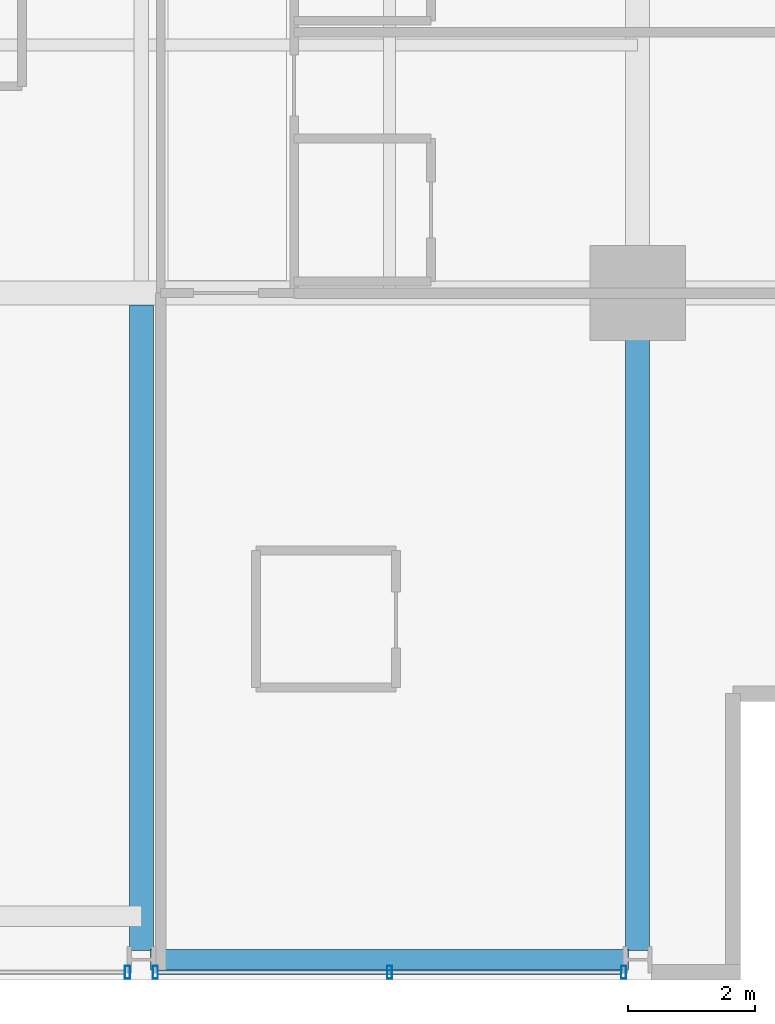
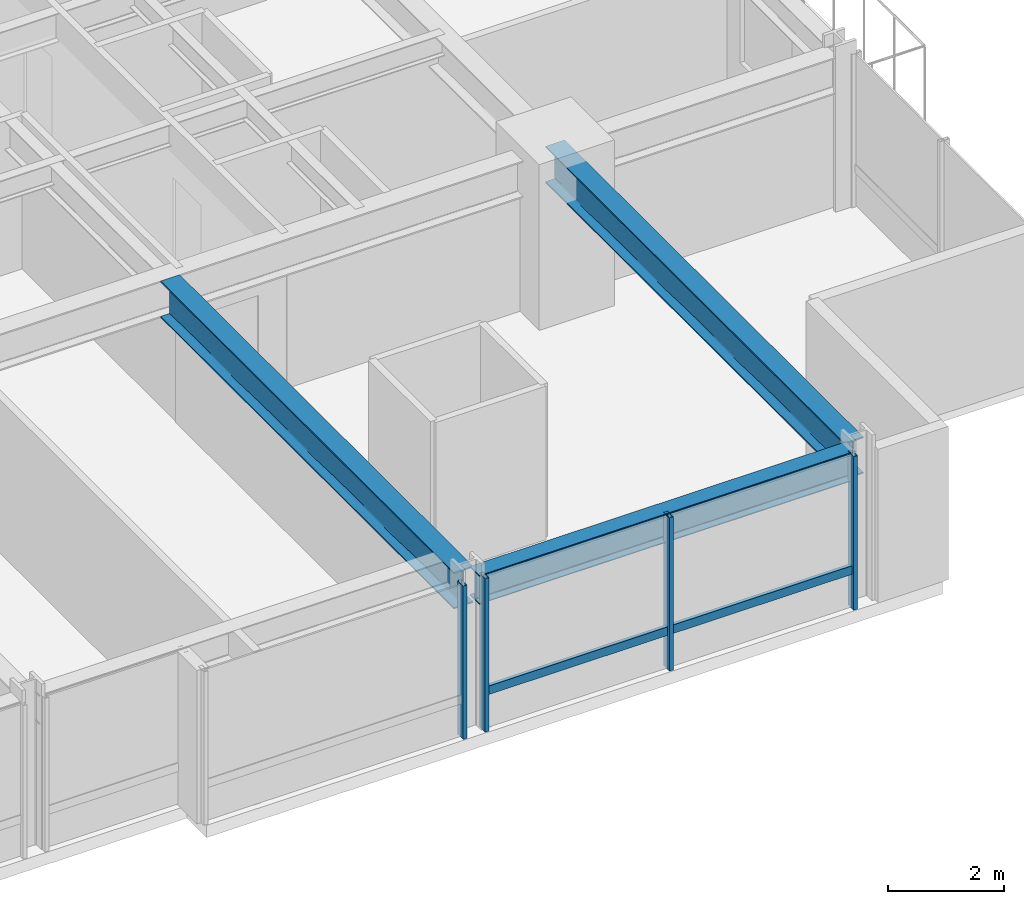
# One storey, part 11 of 35: 5 members, 3 beams, 2 elements without a shape of their own.
"""IFC4 building model written with IfcOpenShell, lengths in metres."""

from ifc_helpers import new_model, si_unit, direction, frame, origin, origin_2d, place, context, subcontext, project, spatial, hollow_rectangle, i_section, extrude, material, layer, layer_set, material_profile, profile_set, type_object, element, aggregate, save


model = new_model("IFC4")

# Units and contexts
model_context = context("Model", 3, precision=1e-05, world=origin(), true_north=direction((0.0, 1.0)))
body_context = subcontext(model_context, "Body", "Model", "MODEL_VIEW")
ifc_project = project(units=[si_unit("LENGTHUNIT", "METRE"), si_unit("AREAUNIT", "SQUARE_METRE"), si_unit("VOLUMEUNIT", "CUBIC_METRE"), si_unit("PLANEANGLEUNIT", "RADIAN"), si_unit("MASSUNIT", "GRAM", prefix="KILO")], contexts=[model_context])

# Site, building, storey
site_placement = place(None, origin())
site = spatial("IfcSite", under=ifc_project, at=site_placement, CompositionType="ELEMENT")
building_placement = place(site_placement, origin())
building = spatial("IfcBuilding", under=site, at=building_placement, Name="Drelvath Grand Hotel", CompositionType="ELEMENT")
storey_placement = place(building_placement, frame((0.0, 0.0, 98.800048828125)))
storey = spatial("IfcBuildingStorey", under=building, at=storey_placement, Name="L24", CompositionType="ELEMENT", Elevation=98.800048828125)

# Curtain wall, member
ifc_material_1 = material(Name="Champagne Bronze Anodised Aluminium Frame", Category="aluminium")
ifc_layer = layer(ifc_material_1, 0.199951171875)
ifc_layer_set = layer_set([ifc_layer], Name="Champagne Bronze Anodised Aluminium Frame")
curtain_wall_type = type_object("IfcCurtainWallType", Name="Stick Curtain Wall CW-03 Champagne Bronze Mid-Rise", PredefinedType="NOTDEFINED", material=ifc_layer_set)
curtain_wall_1_placement = place(storey_placement, origin())
curtain_wall_1 = element("IfcCurtainWall", 1, at=curtain_wall_1_placement, inside=storey, type_object=curtain_wall_type, Name="L24 CW-03 Curtain Wall CW03-L24-SE2", PredefinedType="NOTDEFINED")
ifc_material_profile_1 = material_profile(ifc_material_1, hollow_rectangle(XDim=0.074951171875, YDim=0.179931640625, WallThickness=0.0048828125, at=origin_2d()), Name="HSS180X75X5")
ifc_profile_set_1 = profile_set([ifc_material_profile_1], Name="Champagne Bronze Anodised Aluminium Frame")
member_type_1 = type_object("IfcMemberType", Name="Curtain Wall Horizontal Transom CW-03 HSS180X75X5", PredefinedType="USERDEFINED", material=ifc_profile_set_1)
member_1_placement = place(storey_placement, frame((15.9404296875, 0.1201171875, 0.81005859375), z_axis=(-1.0, 0.0, 0.0), x_axis=(0.0, -1.0, 0.0)))
member_1 = element("IfcMember", 2, at=member_1_placement, type_object=member_type_1, Name="CW03-L24-SE2 Sill Transom", ObjectType="TRANSOM", PredefinedType="USERDEFINED", context=body_context, shape_type="SweptSolid", body=[
    extrude(hollow_rectangle(XDim=0.074951171875, YDim=0.179931640625, WallThickness=0.0048828125, at=origin_2d()), origin(), (0.0, 0.0, 1.0), 7.28076171875),
])

curtain_wall_2_placement = place(storey_placement, origin())
curtain_wall_2 = element("IfcCurtainWall", 3, at=curtain_wall_2_placement, inside=storey, type_object=curtain_wall_type, Name="L24 CW-03 Curtain Wall CW03-L24-SE1", PredefinedType="NOTDEFINED")
ifc_material_profile_2 = material_profile(ifc_material_1, hollow_rectangle(XDim=0.080078125, YDim=0.199951171875, WallThickness=0.0048828125, at=origin_2d()), Name="HSS200X80X5")
ifc_profile_set_2 = profile_set([ifc_material_profile_2], Name="Champagne Bronze Anodised Aluminium Frame")
member_type_2 = type_object("IfcMemberType", Name="Curtain Wall Vertical Mullion CW-03 HSS200X80X5", PredefinedType="MULLION", material=ifc_profile_set_2)
member_2_placement = place(storey_placement, frame((8.180419921875, 0.1201171875, 0.0), z_axis=(0.0, 0.0, 1.0), x_axis=(1.0, 0.0, 0.0)))
member_2 = element("IfcMember", 4, at=member_2_placement, type_object=member_type_2, Name="CW03-L24-SE1 Mullion 1", PredefinedType="MULLION", context=body_context, shape_type="SweptSolid", body=[
    extrude(hollow_rectangle(XDim=0.080078125, YDim=0.199951171875, WallThickness=0.0048828125, at=origin_2d()), origin(), (0.0, 0.0, 1.0), 3.239990234375),
])
aggregate(curtain_wall_2, [member_2])

# Member
member_3_placement = place(storey_placement, frame((15.98046875, 0.1201171875, 0.0), z_axis=(0.0, 0.0, 1.0), x_axis=(1.0, 0.0, 0.0)))
member_3 = element("IfcMember", 5, at=member_3_placement, type_object=member_type_2, Name="CW03-L24-SE2 Mullion 1", PredefinedType="MULLION", context=body_context, shape_type="SweptSolid", body=[
    extrude(hollow_rectangle(XDim=0.080078125, YDim=0.199951171875, WallThickness=0.0048828125, at=origin_2d()), origin(), (0.0, 0.0, 1.0), 3.239990234375),
])

member_4_placement = place(storey_placement, frame((12.300048828125, 0.1201171875, 0.0), z_axis=(0.0, 0.0, 1.0), x_axis=(1.0, 0.0, 0.0)))
member_4 = element("IfcMember", 6, at=member_4_placement, type_object=member_type_2, Name="CW03-L24-SE2 Mullion 2", PredefinedType="MULLION", context=body_context, shape_type="SweptSolid", body=[
    extrude(hollow_rectangle(XDim=0.080078125, YDim=0.199951171875, WallThickness=0.0048828125, at=origin_2d()), origin(), (0.0, 0.0, 1.0), 3.239990234375),
])

member_5_placement = place(storey_placement, frame((8.61962890625, 0.1201171875, 0.0), z_axis=(0.0, 0.0, 1.0), x_axis=(1.0, 0.0, 0.0)))
member_5 = element("IfcMember", 7, at=member_5_placement, type_object=member_type_2, Name="CW03-L24-SE2 Mullion 3", PredefinedType="MULLION", context=body_context, shape_type="SweptSolid", body=[
    extrude(hollow_rectangle(XDim=0.080078125, YDim=0.199951171875, WallThickness=0.0048828125, at=origin_2d()), origin(), (0.0, 0.0, 1.0), 3.239990234375),
])

aggregate(curtain_wall_1, [member_3, member_4, member_5, member_1])

# Beams
ifc_material_2 = material(Name="Steel ASTM A992 Gr 50", Category="steel")
ifc_material_profile_3 = material_profile(ifc_material_2, i_section(OverallWidth=0.323974609375, OverallDepth=0.611083984375, WebThickness=0.0126953125, FlangeThickness=0.01904296875, FilletRadius=0.02197265625, at=origin_2d()), Name="W24X104")
ifc_profile_set_3 = profile_set([ifc_material_profile_3], Name="Steel ASTM A992 Gr 50")
beam_type_1 = type_object("IfcBeamType", Name="Perimeter Spandrel Beam W24X104", PredefinedType="SPANDREL", material=ifc_profile_set_3)
beam_1_placement = place(storey_placement, frame((8.5400390625, 0.320068359375, 2.9345703125), z_axis=(1.0, 0.0, 0.0), x_axis=(0.0, 1.0, 0.0)))
element("IfcBeam", 8, at=beam_1_placement, inside=storey, type_object=beam_type_1, Name="L24 Spandrel South E", PredefinedType="SPANDREL", context=body_context, shape_type="SweptSolid", body=[
    extrude(i_section(OverallWidth=0.323974609375, OverallDepth=0.611083984375, WebThickness=0.0126953125, FlangeThickness=0.01904296875, FilletRadius=0.02197265625, at=origin_2d()), origin(), (0.0, 0.0, 1.0), 7.52001953125),
])
ifc_material_profile_4 = material_profile(ifc_material_2, i_section(OverallWidth=0.380615234375, OverallDepth=0.773193359375, WebThickness=0.0166015625, FlangeThickness=0.027099609375, FilletRadius=0.02490234375, at=origin_2d()), Name="W30X173")
ifc_profile_set_4 = profile_set([ifc_material_profile_4], Name="Steel ASTM A992 Gr 50")
beam_type_2 = type_object("IfcBeamType", Name="Primary Floor Girder W30X173", PredefinedType="BEAM", material=ifc_profile_set_4)
beam_2_placement = place(storey_placement, frame((16.199951171875, 0.4599609375, 2.853271484375), z_axis=(0.0, 1.0, 0.0), x_axis=(-1.0, 0.0, 0.0)))
element("IfcBeam", 9, at=beam_2_placement, inside=storey, type_object=beam_type_2, Name="L24 South Grid Girder 7", PredefinedType="BEAM", context=body_context, shape_type="SweptSolid", body=[
    extrude(i_section(OverallWidth=0.380615234375, OverallDepth=0.773193359375, WebThickness=0.0166015625, FlangeThickness=0.027099609375, FilletRadius=0.02490234375, at=origin_2d()), origin(), (0.0, 0.0, 1.0), 10.340087890625),
])
beam_3_placement = place(storey_placement, frame((8.39990234375, 0.4599609375, 2.853271484375), z_axis=(0.0, 1.0, 0.0), x_axis=(-1.0, 0.0, 0.0)))
element("IfcBeam", 10, at=beam_3_placement, inside=storey, type_object=beam_type_2, Name="L24 South Wing Girder 6", PredefinedType="BEAM", context=body_context, shape_type="SweptSolid", body=[
    extrude(i_section(OverallWidth=0.380615234375, OverallDepth=0.773193359375, WebThickness=0.0166015625, FlangeThickness=0.027099609375, FilletRadius=0.02490234375, at=origin_2d()), origin(), (0.0, 0.0, 1.0), 10.149658203125),
])

save(model, "model.ifc")
